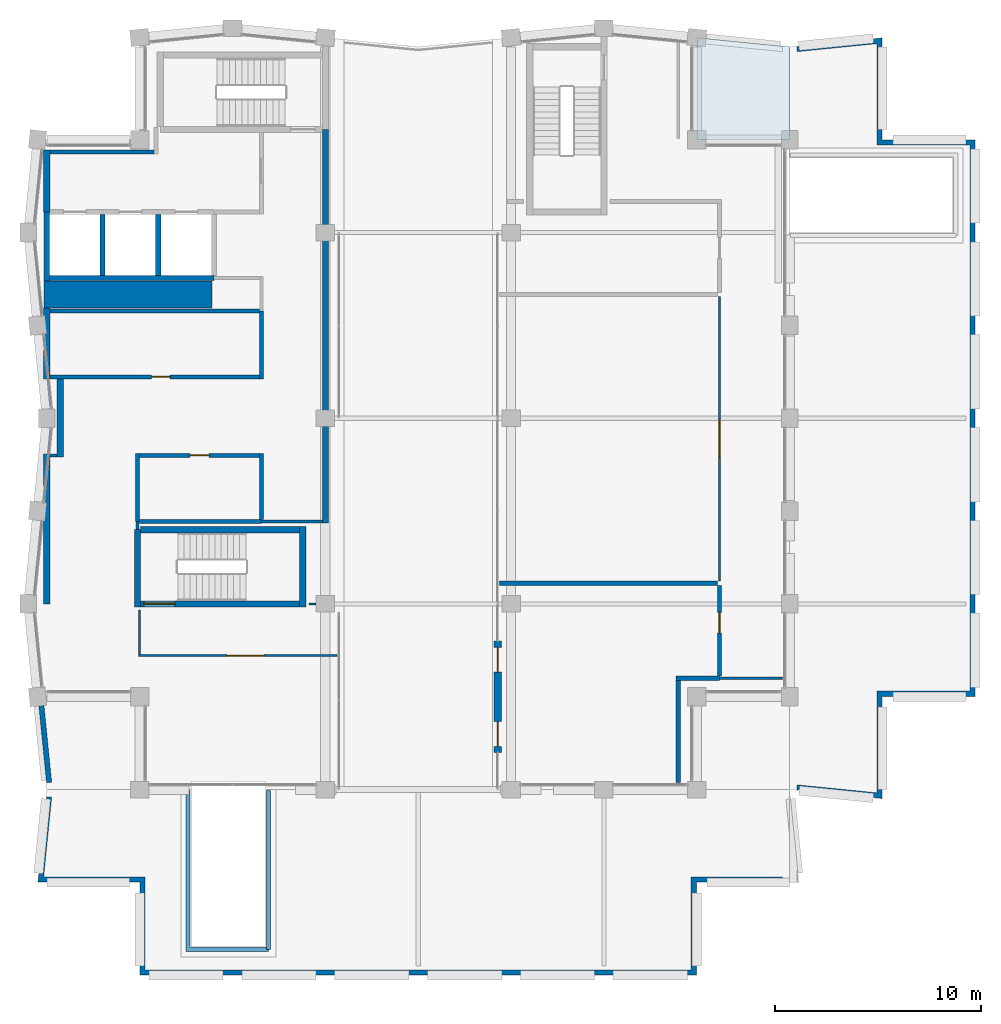
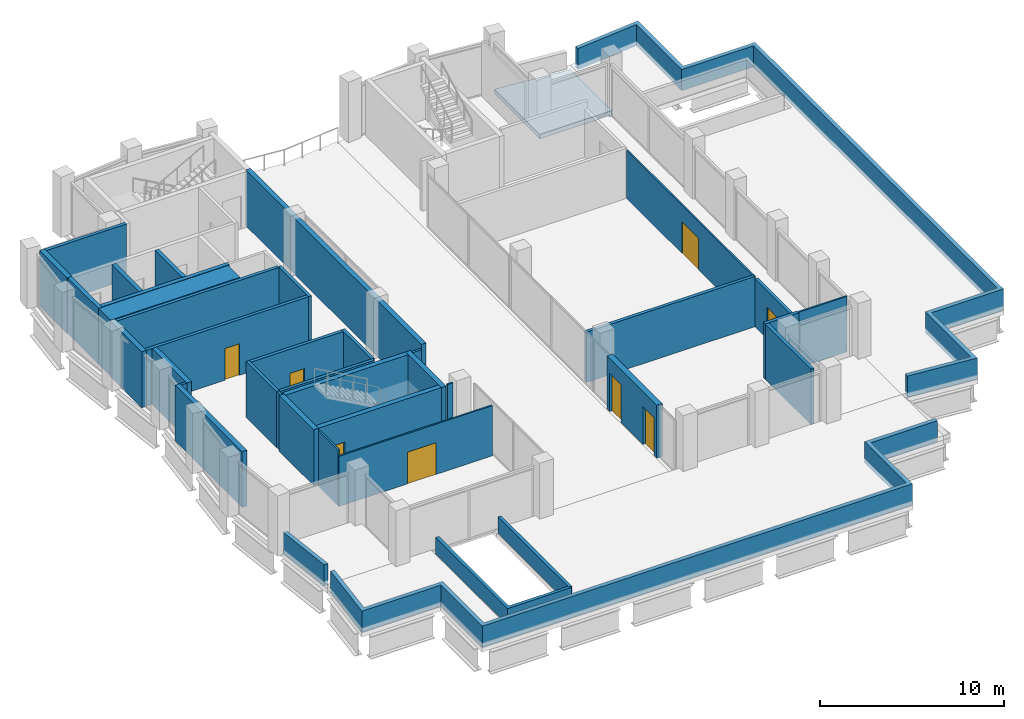
# One storey, part 11 of 14: 40 walls, 8 doors, 1 slab, 8 openings.
"""IFC4 building model written with IfcOpenShell, lengths in metres."""

from ifc_helpers import new_model, si_unit, direction, frame, frame_2d, origin, place, context, subcontext, project, spatial, polyline, rectangle, outline, extrude, material, layer, layer_set, type_object, element, fill, save


model = new_model("IFC4")

# Units and contexts
model_context = context("Model", 3, precision=1e-05, world=origin(), true_north=direction((0.0, 1.0)))
body_context = subcontext(model_context, "Body", "Model", "MODEL_VIEW")
ifc_project = project(units=[si_unit("LENGTHUNIT", "METRE"), si_unit("AREAUNIT", "SQUARE_METRE"), si_unit("VOLUMEUNIT", "CUBIC_METRE"), si_unit("PLANEANGLEUNIT", "RADIAN"), si_unit("MASSUNIT", "GRAM", prefix="KILO")], contexts=[model_context])

# Site, building, storey
site_placement = place(None, origin())
site = spatial("IfcSite", under=ifc_project, at=site_placement, CompositionType="ELEMENT")
building_placement = place(site_placement, origin())
building = spatial("IfcBuilding", under=site, at=building_placement, Name="Brondeck Convention Tower", CompositionType="ELEMENT")
storey_placement = place(building_placement, frame((0.0, 0.0, 282.800048828125)))
storey = spatial("IfcBuildingStorey", under=building, at=storey_placement, Name="L70", CompositionType="ELEMENT", Elevation=282.800048828125)

# Slab
ifc_material_1 = material(Name="Concrete C35/45", Category="concrete")
ifc_layer_1 = layer(ifc_material_1, 0.300048828125)
ifc_layer_set_1 = layer_set([ifc_layer_1], Name="Roof slab, terrace and crown")
slab_type = type_object("IfcSlabType", Name="Roof slab, terrace and crown", PredefinedType="ROOF", material=ifc_layer_set_1)
slab_placement = place(storey_placement, frame((0.0, 0.0, -0.300048828125)))
element("IfcSlab", 1, at=slab_placement, inside=storey, type_object=slab_type, Name="ENV-S4-C2-SL", PredefinedType="ROOF", context=body_context, shape_type="SweptSolid", body=[
    extrude(outline(polyline([(36.0, 63.0), (31.5, 63.449951171875), (31.5, 58.5), (36.0, 58.5), (36.0, 63.0)])), origin(), (0.0, 0.0, 1.0), 0.300048828125),
])

# Wall, openings, doors
ifc_material_2 = material(Name="Precast concrete C50/60 bronze finish", Category="concrete")
ifc_layer_2 = layer(ifc_material_2, 0.080078125, Name="Bronze precast facing")
ifc_material_3 = material(Name="Mineral wool")
ifc_layer_3 = layer(ifc_material_3, 0.159912109375, Name="Insulation")
ifc_material_4 = material(Name="Precast concrete C50/60", Category="concrete")
ifc_layer_4 = layer(ifc_material_4, 0.110107421875, Name="Rated backing")
ifc_layer_set_2 = layer_set([ifc_layer_2, ifc_layer_3, ifc_layer_4], Name="Band enclosure wall, insulated panel")
wall_type_1 = type_object("IfcWallType", Name="Band enclosure wall, insulated panel", PredefinedType="SOLIDWALL", material=ifc_layer_set_2)
wall_1_placement = place(storey_placement, frame((21.85009765625, 28.800048828125, 0.0), z_axis=(0.0, 0.0, 1.0), x_axis=(0.0, 1.0, 0.0)))
wall_1 = element("IfcWall", 2, at=wall_1_placement, inside=storey, type_object=wall_type_1, Name="ENV-PW-L70-K2-SLOT-E-07", PredefinedType="SOLIDWALL", context=body_context, shape_type="SweptSolid", body=[
    extrude(rectangle(XDim=5.39990234375, YDim=0.35009765625, at=frame_2d((2.699951171875, 0.0))), origin(), (0.0, 0.0, 1.0), 3.5),
])
opening_1_placement = place(wall_1_placement, frame((0.300048828125, 0.0, 0.0)))
opening_1 = element("IfcOpeningElement", 3, at=opening_1_placement, cuts=wall_1, Name="Opening DB-L70-SLOT-E-297", PredefinedType="OPENING", context=body_context, shape_type="SweptSolid", body=[
    extrude(rectangle(XDim=1.199951171875, YDim=2.5, at=frame_2d((0.60009765625, 1.25))), frame((0.0, 0.18505859375, 0.0), z_axis=(0.0, -1.0, 0.0), x_axis=(1.0, 0.0, 0.0)), (0.0, 0.0, 1.0), 0.3701171875),
])
opening_2_placement = place(wall_1_placement, frame((3.89990234375, 0.0, 0.0)))
opening_2 = element("IfcOpeningElement", 4, at=opening_2_placement, cuts=wall_1, Name="Opening DB-L70-SLOT-E-333", PredefinedType="OPENING", context=body_context, shape_type="SweptSolid", body=[
    extrude(rectangle(XDim=1.199951171875, YDim=2.5, at=frame_2d((0.60009765625, 1.25))), frame((0.0, 0.18505859375, 0.0), z_axis=(0.0, -1.0, 0.0), x_axis=(1.0, 0.0, 0.0)), (0.0, 0.0, 1.0), 0.3701171875),
])
ifc_material_5 = material(Name="Aluminium, bronze anodised", Category="aluminium")
door_type_1 = type_object("IfcDoorType", Name="Terrace door, single leaf", OperationType="SINGLE_SWING_LEFT", PredefinedType="DOOR", material=ifc_material_5)
door_1_placement = place(opening_1_placement, origin())
door_1 = element("IfcDoor", 5, at=door_1_placement, inside=storey, type_object=door_type_1, Name="ENV-D-DB-L70-SLOT-E-297", OperationType="SINGLE_SWING_RIGHT", OverallHeight=2.5, OverallWidth=1.199951171875, PredefinedType="DOOR", context=body_context, shape_type="SweptSolid", body=[
    extrude(rectangle(XDim=1.199951171875, YDim=2.5, at=frame_2d((0.60009765625, 1.25))), frame((0.0, 0.02490234375, 0.0), z_axis=(0.0, -1.0, 0.0), x_axis=(1.0, 0.0, 0.0)), (0.0, 0.0, 1.0), 0.050048828125),
])
fill(opening_1, door_1)
door_2_placement = place(opening_2_placement, origin())
door_2 = element("IfcDoor", 6, at=door_2_placement, inside=storey, type_object=door_type_1, Name="ENV-D-DB-L70-SLOT-E-333", OperationType="SINGLE_SWING_RIGHT", OverallHeight=2.5, OverallWidth=1.199951171875, PredefinedType="DOOR", context=body_context, shape_type="SweptSolid", body=[
    extrude(rectangle(XDim=1.199951171875, YDim=2.5, at=frame_2d((0.60009765625, 1.25))), frame((0.0, 0.02490234375, 0.0), z_axis=(0.0, -1.0, 0.0), x_axis=(1.0, 0.0, 0.0)), (0.0, 0.0, 1.0), 0.050048828125),
])
fill(opening_2, door_2)

# Walls
ifc_material_6 = material(Name="Concrete C50/60", Category="concrete")
ifc_layer_5 = layer(ifc_material_6, 0.300048828125)
ifc_layer_set_3 = layer_set([ifc_layer_5], Name="Core outer wall 300 Concrete C50/60")
wall_type_2 = type_object("IfcWallType", Name="Core outer wall 300 Concrete C50/60", PredefinedType="SHEAR", material=ifc_layer_set_3)
wall_2_placement = place(storey_placement, frame((0.0, 36.0, 0.0), z_axis=(0.0, 0.0, 1.0), x_axis=(0.0, 1.0, 0.0)))
element("IfcWall", 7, at=wall_2_placement, inside=storey, type_object=wall_type_2, Name="L70 core wall", PredefinedType="SHEAR", context=body_context, shape_type="SweptSolid", body=[
    extrude(rectangle(XDim=7.27490234375, YDim=0.300048828125, at=frame_2d((3.637451171875, 0.0))), origin(), (0.0, 0.0, 1.0), 3.699951171875),
])
wall_3_placement = place(storey_placement, frame((0.0, 46.89990234375, 0.0), z_axis=(0.0, 0.0, 1.0), x_axis=(0.0, 1.0, 0.0)))
element("IfcWall", 8, at=wall_3_placement, inside=storey, type_object=wall_type_2, Name="L70 core wall", PredefinedType="SHEAR", context=body_context, shape_type="SweptSolid", body=[
    extrude(rectangle(XDim=3.4501953125, YDim=0.300048828125, at=frame_2d((1.72509765625, 0.0))), origin(), (0.0, 0.0, 1.0), 3.699951171875),
])
wall_4_placement = place(storey_placement, frame((0.0, 55.0, 0.0), z_axis=(0.0, 0.0, 1.0), x_axis=(0.0, 1.0, 0.0)))
element("IfcWall", 9, at=wall_4_placement, inside=storey, type_object=wall_type_2, Name="L70 core wall", PredefinedType="SHEAR", context=body_context, shape_type="SweptSolid", body=[
    extrude(rectangle(XDim=3.0, YDim=0.300048828125, at=frame_2d((1.5, 0.0))), origin(), (0.0, 0.0, 1.0), 3.699951171875),
])
wall_5_placement = place(storey_placement, frame((0.64990234375, 43.125, 0.0), z_axis=(0.0, 0.0, 1.0), x_axis=(0.0, 1.0, 0.0)))
element("IfcWall", 10, at=wall_5_placement, inside=storey, type_object=wall_type_2, Name="L70 core wall", PredefinedType="SHEAR", context=body_context, shape_type="SweptSolid", body=[
    extrude(rectangle(XDim=3.77490234375, YDim=0.300048828125, at=frame_2d((1.887451171875, 0.0))), origin(), (0.0, 0.0, 1.0), 3.699951171875),
])
wall_6_placement = place(storey_placement, frame((13.5, 39.925048828125, 0.0), z_axis=(0.0, 0.0, 1.0), x_axis=(0.0, 1.0, 0.0)))
element("IfcWall", 11, at=wall_6_placement, inside=storey, type_object=wall_type_2, Name="L70 core wall", PredefinedType="SHEAR", context=body_context, shape_type="SweptSolid", body=[
    extrude(rectangle(XDim=19.074951171875, YDim=0.300048828125, at=frame_2d((9.53759765625, 0.0))), origin(), (0.0, 0.0, 1.0), 3.699951171875),
])
ifc_material_7 = material(Name="Fire-rated gypsum board partition")
ifc_layer_6 = layer(ifc_material_7, 0.14990234375)
ifc_layer_set_4 = layer_set([ifc_layer_6], Name="Core partition 150 EI 60")
wall_type_3 = type_object("IfcWallType", Name="Core partition 150 EI 60", PredefinedType="PARTITIONING", material=ifc_layer_set_4)
wall_7_placement = place(storey_placement, frame((10.39990234375, 40.0, 0.0), z_axis=(0.0, 0.0, 1.0), x_axis=(1.0, 0.0, 0.0)))
element("IfcWall", 12, at=wall_7_placement, inside=storey, type_object=wall_type_3, Name="L70 core wall", PredefinedType="PARTITIONING", context=body_context, shape_type="SweptSolid", body=[
    extrude(rectangle(XDim=2.9501953125, YDim=0.14990234375, at=frame_2d((1.47509765625, 0.0))), origin(), (0.0, 0.0, 1.0), 3.349853515625),
])
wall_8_placement = place(storey_placement, frame((0.14990234375, 43.199951171875, 0.0), z_axis=(0.0, 0.0, 1.0), x_axis=(1.0, 0.0, 0.0)))
element("IfcWall", 13, at=wall_8_placement, inside=storey, type_object=wall_type_3, Name="L70 core wall", PredefinedType="PARTITIONING", context=body_context, shape_type="SweptSolid", body=[
    extrude(rectangle(XDim=0.35009765625, YDim=0.14990234375, at=frame_2d((0.175048828125, 0.0))), origin(), (0.0, 0.0, 1.0), 3.699951171875),
])
wall_9_placement = place(storey_placement, frame((4.39990234375, 39.60009765625, 0.0), z_axis=(0.0, 0.0, 1.0), x_axis=(0.0, 1.0, 0.0)))
element("IfcWall", 14, at=wall_9_placement, inside=storey, type_object=wall_type_3, Name="L70 core wall", PredefinedType="PARTITIONING", context=body_context, shape_type="SweptSolid", body=[
    extrude(rectangle(XDim=0.39990234375, YDim=0.14990234375, at=frame_2d((0.199951171875, 0.0))), origin(), (0.0, 0.0, 1.0), 3.699951171875),
])
ifc_layer_7 = layer(ifc_material_6, 1.300048828125)
ifc_layer_set_5 = layer_set([ifc_layer_7], Name="Core shear wall 1300 Concrete C50/60")
wall_type_4 = type_object("IfcWallType", Name="Core shear wall 1300 Concrete C50/60", PredefinedType="SHEAR", material=ifc_layer_set_5)
wall_10_placement = place(storey_placement, frame((-0.125, 51.0, 0.0), z_axis=(0.0, 0.0, 1.0), x_axis=(1.0, 0.0, 0.0)))
element("IfcWall", 15, at=wall_10_placement, inside=storey, type_object=wall_type_4, Name="L70 core wall", PredefinedType="SHEAR", context=body_context, shape_type="SweptSolid", body=[
    extrude(rectangle(XDim=8.125, YDim=1.300048828125, at=frame_2d((4.0625, 0.0))), origin(), (0.0, 0.0, 1.0), 3.699951171875),
])
ifc_layer_8 = layer(ifc_material_7, 0.199951171875)
ifc_layer_set_6 = layer_set([ifc_layer_8], Name="Firefighting lobby wall 200 EI 120")
wall_type_5 = type_object("IfcWallType", Name="Firefighting lobby wall 200 EI 120", PredefinedType="PARTITIONING", material=ifc_layer_set_6)
wall_11_placement = place(storey_placement, frame((0.14990234375, 57.89990234375, 0.0), z_axis=(0.0, 0.0, 1.0), x_axis=(1.0, 0.0, 0.0)))
element("IfcWall", 16, at=wall_11_placement, inside=storey, type_object=wall_type_5, Name="L70 core wall", PredefinedType="PARTITIONING", context=body_context, shape_type="SweptSolid", body=[
    extrude(rectangle(XDim=5.050048828125, YDim=0.199951171875, at=frame_2d((2.52490234375, 0.0))), origin(), (0.0, 0.0, 1.0), 3.699951171875),
])
ifc_layer_9 = layer(ifc_material_6, 0.25)
ifc_layer_set_7 = layer_set([ifc_layer_9], Name="Lift shaft wall 250 Concrete C50/60")
wall_type_6 = type_object("IfcWallType", Name="Lift shaft wall 250 Concrete C50/60", PredefinedType="SHEAR", material=ifc_layer_set_7)
wall_12_placement = place(storey_placement, frame((0.125, 51.800048828125, 0.0), z_axis=(0.0, 0.0, 1.0), x_axis=(1.0, 0.0, 0.0)))
element("IfcWall", 17, at=wall_12_placement, inside=storey, type_object=wall_type_6, Name="L70 core wall", PredefinedType="SHEAR", context=body_context, shape_type="SweptSolid", body=[
    extrude(rectangle(XDim=7.97509765625, YDim=0.25, at=frame_2d((3.987548828125, 0.0))), origin(), (0.0, 0.0, 1.0), 3.699951171875),
])
wall_13_placement = place(storey_placement, frame((0.0, 51.64990234375, 0.0), z_axis=(0.0, 0.0, 1.0), x_axis=(0.0, 1.0, 0.0)))
element("IfcWall", 18, at=wall_13_placement, inside=storey, type_object=wall_type_6, Name="L70 core wall", PredefinedType="SHEAR", context=body_context, shape_type="SweptSolid", body=[
    extrude(rectangle(XDim=3.35009765625, YDim=0.25, at=frame_2d((1.675048828125, 0.0))), origin(), (0.0, 0.0, 1.0), 3.699951171875),
])
for number, where, z_axis, x_axis, name in (
    (19, (2.699951171875, 51.925048828125, 0.0), (0.0, 0.0, 1.0), (0.0, 1.0, 0.0), "L70 core wall"),
    (20, (5.39990234375, 51.925048828125, 0.0), (0.0, 0.0, 1.0), (0.0, 1.0, 0.0), "L70 core wall"),
):
    element("IfcWall", number, at=place(storey_placement, frame(where, z_axis=z_axis, x_axis=x_axis)), inside=storey, type_object=wall_type_6, Name=name, PredefinedType="SHEAR", context=body_context, shape_type="SweptSolid", body=[
        extrude(rectangle(XDim=2.949951171875, YDim=0.25, at=frame_2d((1.47509765625, 0.0))), origin(), (0.0, 0.0, 1.0), 3.699951171875),
    ])
ifc_material_8 = material(Name="Concrete block wall C16/20", Category="concrete")
ifc_layer_10 = layer(ifc_material_8, 0.199951171875)
ifc_layer_set_8 = layer_set([ifc_layer_10], Name="Plant room wall 200")
wall_type_7 = type_object("IfcWallType", Name="Plant room wall 200", PredefinedType="PARTITIONING", material=ifc_layer_set_8)
wall_14_placement = place(storey_placement, frame((30.60009765625, 32.300048828125, 0.0), z_axis=(0.0, 0.0, 1.0), x_axis=(0.0, -1.0, 0.0)))
element("IfcWall", 21, at=wall_14_placement, inside=storey, type_object=wall_type_7, Name="FLR-L70-W001", PredefinedType="PARTITIONING", context=body_context, shape_type="SweptSolid", body=[
    extrude(rectangle(XDim=4.9599609375, YDim=0.199951171875, at=frame_2d((2.47998046875, 0.0))), origin(), (0.0, 0.0, 1.0), 3.679931640625),
])
wall_15_placement = place(storey_placement, frame((32.60009765625, 32.39990234375, 0.0), z_axis=(0.0, 0.0, 1.0), x_axis=(-1.0, 0.0, 0.0)))
element("IfcWall", 22, at=wall_15_placement, inside=storey, type_object=wall_type_7, Name="FLR-L70-W002", PredefinedType="PARTITIONING", context=body_context, shape_type="SweptSolid", body=[
    extrude(rectangle(XDim=2.10009765625, YDim=0.199951171875, at=frame_2d((1.050048828125, 0.0))), origin(), (0.0, 0.0, 1.0), 3.679931640625),
])

# Wall, opening, door
wall_16_placement = place(storey_placement, frame((32.60009765625, 32.5, 0.0), z_axis=(0.0, 0.0, 1.0), x_axis=(0.0, 1.0, 0.0)))
wall_16 = element("IfcWall", 23, at=wall_16_placement, inside=storey, type_object=wall_type_7, Name="FLR-L70-W004", PredefinedType="PARTITIONING", context=body_context, shape_type="SweptSolid", body=[
    extrude(rectangle(XDim=4.39990234375, YDim=0.199951171875, at=frame_2d((2.199951171875, 0.0))), origin(), (0.0, 0.0, 1.0), 3.179931640625),
])
opening_3_placement = place(wall_16_placement, frame((2.094482421875, 0.0, 0.0)))
opening_3 = element("IfcOpeningElement", 24, at=opening_3_placement, cuts=wall_16, Name="Opening CR-A-003", PredefinedType="OPENING", context=body_context, shape_type="SweptSolid", body=[
    extrude(rectangle(XDim=1.0, YDim=2.10009765625, at=frame_2d((0.5, 1.050048828125))), frame((0.0, 0.10986328125, 0.0), z_axis=(0.0, -1.0, 0.0), x_axis=(1.0, 0.0, 0.0)), (0.0, 0.0, 1.0), 0.219970703125),
])
ifc_material_9 = material(Name="Steel fire door leaf", Category="steel")
door_type_2 = type_object("IfcDoorType", Name="Plant room door 1000", OperationType="NOTDEFINED", PredefinedType="DOOR", material=ifc_material_9)
door_3_placement = place(opening_3_placement, origin())
door_3 = element("IfcDoor", 25, at=door_3_placement, inside=storey, type_object=door_type_2, Name="Door CR-A-003", OperationType="SINGLE_SWING_RIGHT", OverallHeight=2.10009765625, OverallWidth=1.0, PredefinedType="DOOR", context=body_context, shape_type="SweptSolid", body=[
    extrude(rectangle(XDim=1.0, YDim=2.10009765625, at=frame_2d((0.5, 1.050048828125))), frame((0.0, 0.02490234375, 0.0), z_axis=(0.0, -1.0, 0.0), x_axis=(1.0, 0.0, 0.0)), (0.0, 0.0, 1.0), 0.050048828125),
])
fill(opening_3, door_3)

# Walls
wall_17_placement = place(storey_placement, frame((32.5, 37.0, 0.0), z_axis=(0.0, 0.0, 1.0), x_axis=(-1.0, 0.0, 0.0)))
element("IfcWall", 26, at=wall_17_placement, inside=storey, type_object=wall_type_7, Name="FLR-L70-W008", PredefinedType="PARTITIONING", context=body_context, shape_type="SweptSolid", body=[
    extrude(rectangle(XDim=10.56005859375, YDim=0.199951171875, at=frame_2d((5.280029296875, 0.0))), origin(), (0.0, 0.0, 1.0), 3.329833984375),
])
ifc_layer_11 = layer(ifc_material_7, 0.199951171875)
ifc_layer_set_9 = layer_set([ifc_layer_11], Name="Plant room wall 200 EI 120")
wall_type_8 = type_object("IfcWallType", Name="Plant room wall 200 EI 120", PredefinedType="PARTITIONING", material=ifc_layer_set_9)
wall_18_placement = place(storey_placement, frame((4.5, 40.0, 0.0), z_axis=(0.0, 0.0, 1.0), x_axis=(1.0, 0.0, 0.0)))
element("IfcWall", 27, at=wall_18_placement, inside=storey, type_object=wall_type_8, Name="L70 core wall", PredefinedType="PARTITIONING", context=body_context, shape_type="SweptSolid", body=[
    extrude(rectangle(XDim=5.89990234375, YDim=0.199951171875, at=frame_2d((2.949951171875, 0.0))), origin(), (0.0, 0.0, 1.0), 3.699951171875),
])

# Wall, opening, door
wall_19_placement = place(storey_placement, frame((4.5, 43.199951171875, 0.0), z_axis=(0.0, 0.0, 1.0), x_axis=(1.0, 0.0, 0.0)))
wall_19 = element("IfcWall", 28, at=wall_19_placement, inside=storey, type_object=wall_type_8, Name="L70 core wall", PredefinedType="PARTITIONING", context=body_context, shape_type="SweptSolid", body=[
    extrude(rectangle(XDim=5.800048828125, YDim=0.199951171875, at=frame_2d((2.89990234375, 0.0))), origin(), (0.0, 0.0, 1.0), 3.699951171875),
])
opening_4_placement = place(wall_19_placement, frame((2.449951171875, 0.0, 0.0)))
opening_4 = element("IfcOpeningElement", 29, at=opening_4_placement, cuts=wall_19, Name="Opening C40-03", PredefinedType="OPENING", context=body_context, shape_type="SweptSolid", body=[
    extrude(rectangle(XDim=0.89990234375, YDim=2.10009765625, at=frame_2d((0.449951171875, 1.050048828125))), frame((0.0, 0.10986328125, 0.0), z_axis=(0.0, -1.0, 0.0), x_axis=(1.0, 0.0, 0.0)), (0.0, 0.0, 1.0), 0.219970703125),
])
ifc_material_10 = material(Name="Steel fire door", Category="steel")
door_type_3 = type_object("IfcDoorType", Name="Room door 900x2100 EI 120", OperationType="NOTDEFINED", PredefinedType="DOOR", material=ifc_material_10)
door_4_placement = place(opening_4_placement, origin())
door_4 = element("IfcDoor", 30, at=door_4_placement, inside=storey, type_object=door_type_3, Name="L70 Room door FZ-S-4.4-1", OperationType="SINGLE_SWING_LEFT", OverallHeight=2.10009765625, OverallWidth=0.89990234375, PredefinedType="DOOR", context=body_context, shape_type="SweptSolid", body=[
    extrude(rectangle(XDim=0.89990234375, YDim=2.10009765625, at=frame_2d((0.449951171875, 1.050048828125))), frame((0.0, 0.02490234375, 0.0), z_axis=(0.0, -1.0, 0.0), x_axis=(1.0, 0.0, 0.0)), (0.0, 0.0, 1.0), 0.050048828125),
])
fill(opening_4, door_4)

wall_20_placement = place(storey_placement, frame((0.14990234375, 47.0, 0.0), z_axis=(0.0, 0.0, 1.0), x_axis=(1.0, 0.0, 0.0)))
wall_20 = element("IfcWall", 31, at=wall_20_placement, inside=storey, type_object=wall_type_8, Name="L70 core wall", PredefinedType="PARTITIONING", context=body_context, shape_type="SweptSolid", body=[
    extrude(rectangle(XDim=10.150146484375, YDim=0.199951171875, at=frame_2d((5.0751953125, 0.0))), origin(), (0.0, 0.0, 1.0), 3.699951171875),
])
opening_5_placement = place(wall_20_placement, frame((4.925048828125, 0.0, 0.0)))
opening_5 = element("IfcOpeningElement", 32, at=opening_5_placement, cuts=wall_20, Name="Opening C40-02", PredefinedType="OPENING", context=body_context, shape_type="SweptSolid", body=[
    extrude(rectangle(XDim=0.89990234375, YDim=2.10009765625, at=frame_2d((0.449951171875, 1.050048828125))), frame((0.0, 0.10986328125, 0.0), z_axis=(0.0, -1.0, 0.0), x_axis=(1.0, 0.0, 0.0)), (0.0, 0.0, 1.0), 0.219970703125),
])
door_5_placement = place(opening_5_placement, origin())
door_5 = element("IfcDoor", 33, at=door_5_placement, inside=storey, type_object=door_type_3, Name="L70 Room door FZ-N-0-1", OperationType="SINGLE_SWING_RIGHT", OverallHeight=2.10009765625, OverallWidth=0.89990234375, PredefinedType="DOOR", context=body_context, shape_type="SweptSolid", body=[
    extrude(rectangle(XDim=0.89990234375, YDim=2.10009765625, at=frame_2d((0.449951171875, 1.050048828125))), frame((0.0, 0.02490234375, 0.0), z_axis=(0.0, -1.0, 0.0), x_axis=(1.0, 0.0, 0.0)), (0.0, 0.0, 1.0), 0.050048828125),
])
fill(opening_5, door_5)

# Walls
wall_21_placement = place(storey_placement, frame((0.14990234375, 50.199951171875, 0.0), z_axis=(0.0, 0.0, 1.0), x_axis=(1.0, 0.0, 0.0)))
element("IfcWall", 34, at=wall_21_placement, inside=storey, type_object=wall_type_8, Name="L70 core wall", PredefinedType="PARTITIONING", context=body_context, shape_type="SweptSolid", body=[
    extrude(rectangle(XDim=10.150146484375, YDim=0.199951171875, at=frame_2d((5.0751953125, 0.0))), origin(), (0.0, 0.0, 1.0), 3.699951171875),
])
wall_22_placement = place(storey_placement, frame((4.39990234375, 40.0, 0.0), z_axis=(0.0, 0.0, 1.0), x_axis=(0.0, 1.0, 0.0)))
element("IfcWall", 35, at=wall_22_placement, inside=storey, type_object=wall_type_8, Name="L70 core wall", PredefinedType="PARTITIONING", context=body_context, shape_type="SweptSolid", body=[
    extrude(rectangle(XDim=3.300048828125, YDim=0.199951171875, at=frame_2d((1.64990234375, 0.0))), origin(), (0.0, 0.0, 1.0), 3.699951171875),
])
wall_23_placement = place(storey_placement, frame((10.39990234375, 40.10009765625, 0.0), z_axis=(0.0, 0.0, 1.0), x_axis=(0.0, 1.0, 0.0)))
element("IfcWall", 36, at=wall_23_placement, inside=storey, type_object=wall_type_8, Name="L70 core wall", PredefinedType="PARTITIONING", context=body_context, shape_type="SweptSolid", body=[
    extrude(rectangle(XDim=3.199951171875, YDim=0.199951171875, at=frame_2d((1.60009765625, 0.0))), origin(), (0.0, 0.0, 1.0), 3.699951171875),
])
wall_24_placement = place(storey_placement, frame((10.39990234375, 46.89990234375, 0.0), z_axis=(0.0, 0.0, 1.0), x_axis=(0.0, 1.0, 0.0)))
element("IfcWall", 37, at=wall_24_placement, inside=storey, type_object=wall_type_8, Name="L70 core wall", PredefinedType="PARTITIONING", context=body_context, shape_type="SweptSolid", body=[
    extrude(rectangle(XDim=3.300048828125, YDim=0.199951171875, at=frame_2d((1.64990234375, 0.0))), origin(), (0.0, 0.0, 1.0), 3.699951171875),
])
ifc_layer_12 = layer(ifc_material_4, 0.25)
ifc_layer_set_10 = layer_set([ifc_layer_12], Name="Roof parapet, precast concrete C50/60")
wall_type_9 = type_object("IfcWallType", Name="Roof parapet, precast concrete C50/60", PredefinedType="PARAPET", material=ifc_layer_set_10)
wall_25_placement = place(storey_placement, origin())
element("IfcWall", 38, at=wall_25_placement, inside=storey, type_object=wall_type_9, Name="ENV-S4-A-PA-01", PredefinedType="PARAPET", context=body_context, shape_type="SweptSolid", body=[
    extrude(outline(polyline([(40.47998046875, 63.427978515625), (36.35009765625, 63.014892578125), (36.35009765625, 62.763671875), (40.22998046875, 63.151611328125), (40.22998046875, 58.22998046875), (44.72998046875, 58.22998046875), (44.72998046875, 31.77001953125), (40.22998046875, 31.77001953125), (40.22998046875, 26.848388671875), (36.35009765625, 27.236328125), (36.35009765625, 26.985107421875), (40.47998046875, 26.572021484375), (40.47998046875, 31.52001953125), (44.97998046875, 31.52001953125), (44.97998046875, 58.47998046875), (40.47998046875, 58.47998046875), (40.47998046875, 63.427978515625)])), origin(), (0.0, 0.0, 1.0), 1.39990234375),
])
wall_26_placement = place(storey_placement, origin())
element("IfcWall", 39, at=wall_26_placement, inside=storey, type_object=wall_type_9, Name="ENV-S4-B-PA-01", PredefinedType="PARAPET", context=body_context, shape_type="SweptSolid", body=[
    extrude(outline(polyline([(4.52001953125, 18.02001953125), (31.47998046875, 18.02001953125), (31.47998046875, 22.52001953125), (35.64990234375, 22.52001953125), (35.64990234375, 22.77001953125), (31.22998046875, 22.77001953125), (31.22998046875, 18.27001953125), (4.77001953125, 18.27001953125), (4.77001953125, 22.77001953125), (-0.151611328125, 22.77001953125), (0.236328125, 26.64990234375), (-0.014892578125, 26.64990234375), (-0.427978515625, 22.52001953125), (4.52001953125, 22.52001953125), (4.52001953125, 18.02001953125)])), origin(), (0.0, 0.0, 1.0), 1.39990234375),
])
wall_27_placement = place(storey_placement, origin())
element("IfcWall", 40, at=wall_27_placement, inside=storey, type_object=wall_type_9, Name="ENV-S4-B-WPA1", PredefinedType="PARAPET", context=body_context, shape_type="SweptSolid", body=[
    extrude(outline(polyline([(6.75, 19.14990234375), (10.75, 19.14990234375), (10.75, 19.35009765625), (6.949951171875, 19.35009765625), (6.949951171875, 26.949951171875), (6.75, 26.949951171875), (6.75, 19.14990234375)])), origin(), (0.0, 0.0, 1.0), 1.099853515625),
])
wall_28_placement = place(storey_placement, origin())
element("IfcWall", 41, at=wall_28_placement, inside=storey, type_object=wall_type_9, Name="ENV-S4-B-WPA2", PredefinedType="PARAPET", context=body_context, shape_type="SweptSolid", body=[
    extrude(outline(polyline([(10.85009765625, 19.25), (10.85009765625, 26.949951171875), (10.64990234375, 26.949951171875), (10.64990234375, 19.25), (10.85009765625, 19.25)])), origin(), (0.0, 0.0, 1.0), 1.099853515625),
])
wall_29_placement = place(storey_placement, origin())
element("IfcWall", 42, at=wall_29_placement, inside=storey, type_object=wall_type_9, Name="ENV-S4-C1-PA-01", PredefinedType="PARAPET", context=body_context, shape_type="SweptSolid", body=[
    extrude(outline(polyline([(-0.39501953125, 31.14990234375), (-0.014892578125, 27.35009765625), (0.236328125, 27.35009765625), (-0.143798828125, 31.14990234375), (-0.39501953125, 31.14990234375)])), origin(), (0.0, 0.0, 1.0), 1.39990234375),
])
ifc_material_11 = material(Name="Gypsum board partition on steel studs", Category="steel")
ifc_layer_13 = layer(ifc_material_11, 0.10009765625)
ifc_layer_set_11 = layer_set([ifc_layer_13], Name="Room partition 100")
wall_type_10 = type_object("IfcWallType", Name="Room partition 100", PredefinedType="PARTITIONING", material=ifc_layer_set_11)
wall_30_placement = place(storey_placement, frame((35.659912109375, 32.39990234375, 0.0), z_axis=(0.0, 0.0, 1.0), x_axis=(-1.0, 0.0, 0.0)))
element("IfcWall", 43, at=wall_30_placement, inside=storey, type_object=wall_type_10, Name="FLR-L70-W003", PredefinedType="PARTITIONING", context=body_context, shape_type="SweptSolid", body=[
    extrude(rectangle(XDim=3.059814453125, YDim=0.10009765625, at=frame_2d((1.52978515625, 0.0))), origin(), (0.0, 0.0, 1.0), 3.679931640625),
])

# Wall, opening, door
wall_31_placement = place(storey_placement, frame((14.06005859375, 33.5, 0.0), z_axis=(0.0, 0.0, 1.0), x_axis=(-1.0, 0.0, 0.0)))
wall_31 = element("IfcWall", 44, at=wall_31_placement, inside=storey, type_object=wall_type_10, Name="FLR-L70-W005", PredefinedType="PARTITIONING", context=body_context, shape_type="SweptSolid", body=[
    extrude(rectangle(XDim=9.610107421875, YDim=0.10009765625, at=frame_2d((4.80517578125, 0.0))), origin(), (0.0, 0.0, 1.0), 3.329833984375),
])
opening_6_placement = place(wall_31_placement, frame((3.529541015625, 0.0, 0.0)))
opening_6 = element("IfcOpeningElement", 45, at=opening_6_placement, cuts=wall_31, Name="Opening CR-A-001", PredefinedType="OPENING", context=body_context, shape_type="SweptSolid", body=[
    extrude(rectangle(XDim=1.800048828125, YDim=2.10009765625, at=frame_2d((0.89990234375, 1.050048828125))), frame((0.0, 0.06005859375, 0.0), z_axis=(0.0, -1.0, 0.0), x_axis=(1.0, 0.0, 0.0)), (0.0, 0.0, 1.0), 0.1201171875),
])
ifc_material_12 = material(Name="Glazed timber double door", Category="wood")
door_type_4 = type_object("IfcDoorType", Name="Double door 1800", OperationType="DOUBLE_DOOR_SINGLE_SWING", PredefinedType="DOOR", material=ifc_material_12)
door_6_placement = place(opening_6_placement, origin())
door_6 = element("IfcDoor", 46, at=door_6_placement, inside=storey, type_object=door_type_4, Name="Door CR-A-001", OperationType="DOUBLE_DOOR_SINGLE_SWING", OverallHeight=2.10009765625, OverallWidth=1.800048828125, PredefinedType="DOOR", context=body_context, shape_type="SweptSolid", body=[
    extrude(rectangle(XDim=1.800048828125, YDim=2.10009765625, at=frame_2d((0.89990234375, 1.050048828125))), frame((0.0, 0.02490234375, 0.0), z_axis=(0.0, -1.0, 0.0), x_axis=(1.0, 0.0, 0.0)), (0.0, 0.0, 1.0), 0.050048828125),
])
fill(opening_6, door_6)

# Walls
wall_32_placement = place(storey_placement, frame((4.5, 33.550048828125, 0.0), z_axis=(0.0, 0.0, 1.0), x_axis=(0.0, 1.0, 0.0)))
element("IfcWall", 47, at=wall_32_placement, inside=storey, type_object=wall_type_10, Name="FLR-L70-W006", PredefinedType="PARTITIONING", context=body_context, shape_type="SweptSolid", body=[
    extrude(rectangle(XDim=2.14990234375, YDim=0.10009765625, at=frame_2d((1.074951171875, 0.0))), origin(), (0.0, 0.0, 1.0), 3.679931640625),
])
wall_33_placement = place(storey_placement, frame((12.699951171875, 36.0, 0.0), z_axis=(0.0, 0.0, 1.0), x_axis=(1.0, 0.0, 0.0)))
element("IfcWall", 48, at=wall_33_placement, inside=storey, type_object=wall_type_10, Name="FLR-L70-W007", PredefinedType="PARTITIONING", context=body_context, shape_type="SweptSolid", body=[
    extrude(rectangle(XDim=0.344970703125, YDim=0.10009765625, at=frame_2d((0.17236328125, 0.0))), origin(), (0.0, 0.0, 1.0), 3.679931640625),
])

# Wall, opening, door
wall_34_placement = place(storey_placement, frame((32.60009765625, 37.10009765625, 0.0), z_axis=(0.0, 0.0, 1.0), x_axis=(0.0, 1.0, 0.0)))
wall_34 = element("IfcWall", 49, at=wall_34_placement, inside=storey, type_object=wall_type_10, Name="FLR-L70-W009", PredefinedType="PARTITIONING", context=body_context, shape_type="SweptSolid", body=[
    extrude(rectangle(XDim=13.7998046875, YDim=0.10009765625, at=frame_2d((6.89990234375, 0.0))), origin(), (0.0, 0.0, 1.0), 3.179931640625),
])
opening_7_placement = place(wall_34_placement, frame((6.0, 0.0, 0.0)))
opening_7 = element("IfcOpeningElement", 50, at=opening_7_placement, cuts=wall_34, Name="Opening CR-A-002", PredefinedType="OPENING", context=body_context, shape_type="SweptSolid", body=[
    extrude(rectangle(XDim=1.800048828125, YDim=2.10009765625, at=frame_2d((0.89990234375, 1.050048828125))), frame((0.0, 0.06005859375, 0.0), z_axis=(0.0, -1.0, 0.0), x_axis=(1.0, 0.0, 0.0)), (0.0, 0.0, 1.0), 0.1201171875),
])
door_7_placement = place(opening_7_placement, origin())
door_7 = element("IfcDoor", 51, at=door_7_placement, inside=storey, type_object=door_type_4, Name="Door CR-A-002", OperationType="DOUBLE_DOOR_SINGLE_SWING", OverallHeight=2.10009765625, OverallWidth=1.800048828125, PredefinedType="DOOR", context=body_context, shape_type="SweptSolid", body=[
    extrude(rectangle(XDim=1.800048828125, YDim=2.10009765625, at=frame_2d((0.89990234375, 1.050048828125))), frame((0.0, 0.02490234375, 0.0), z_axis=(0.0, -1.0, 0.0), x_axis=(1.0, 0.0, 0.0)), (0.0, 0.0, 1.0), 0.050048828125),
])
fill(opening_7, door_7)

ifc_layer_14 = layer(ifc_material_6, 0.300048828125)
ifc_layer_set_12 = layer_set([ifc_layer_14], Name="Stair enclosure wall 300 Concrete C50/60")
wall_type_11 = type_object("IfcWallType", Name="Stair enclosure wall 300 Concrete C50/60", PredefinedType="SHEAR", material=ifc_layer_set_12)
wall_35_placement = place(storey_placement, frame((4.550048828125, 36.0, 0.0), z_axis=(0.0, 0.0, 1.0), x_axis=(1.0, 0.0, 0.0)))
wall_35 = element("IfcWall", 52, at=wall_35_placement, inside=storey, type_object=wall_type_11, Name="L70 core wall", PredefinedType="SHEAR", context=body_context, shape_type="SweptSolid", body=[
    extrude(rectangle(XDim=7.699951171875, YDim=0.300048828125, at=frame_2d((3.85009765625, 0.0))), origin(), (0.0, 0.0, 1.0), 3.699951171875),
])
opening_8_placement = place(wall_35_placement, frame((0.14990234375, 0.0, 0.0)))
opening_8 = element("IfcOpeningElement", 53, at=opening_8_placement, cuts=wall_35, Name="Opening C40-04", PredefinedType="OPENING", context=body_context, shape_type="SweptSolid", body=[
    extrude(rectangle(XDim=1.5, YDim=2.199951171875, at=frame_2d((0.75, 1.10009765625))), frame((0.0, 0.159912109375, 0.0), z_axis=(0.0, -1.0, 0.0), x_axis=(1.0, 0.0, 0.0)), (0.0, 0.0, 1.0), 0.320068359375),
])
door_type_5 = type_object("IfcDoorType", Name="Stair door 1500x2200 EI 90", OperationType="NOTDEFINED", PredefinedType="DOOR", material=ifc_material_10)
door_8_placement = place(opening_8_placement, origin())
door_8 = element("IfcDoor", 54, at=door_8_placement, inside=storey, type_object=door_type_5, Name="L70 Stair door ST-1", OperationType="SINGLE_SWING_RIGHT", OverallHeight=2.199951171875, OverallWidth=1.5, PredefinedType="DOOR", context=body_context, shape_type="SweptSolid", body=[
    extrude(rectangle(XDim=1.5, YDim=2.199951171875, at=frame_2d((0.75, 1.10009765625))), frame((0.0, 0.02490234375, 0.0), z_axis=(0.0, -1.0, 0.0), x_axis=(1.0, 0.0, 0.0)), (0.0, 0.0, 1.0), 0.050048828125),
])
fill(opening_8, door_8)

# Walls
wall_36_placement = place(storey_placement, frame((4.550048828125, 39.60009765625, 0.0), z_axis=(0.0, 0.0, 1.0), x_axis=(1.0, 0.0, 0.0)))
element("IfcWall", 55, at=wall_36_placement, inside=storey, type_object=wall_type_11, Name="L70 core wall", PredefinedType="SHEAR", context=body_context, shape_type="SweptSolid", body=[
    extrude(rectangle(XDim=7.699951171875, YDim=0.300048828125, at=frame_2d((3.85009765625, 0.0))), origin(), (0.0, 0.0, 1.0), 3.699951171875),
])
wall_37_placement = place(storey_placement, frame((4.39990234375, 35.85009765625, 0.0), z_axis=(0.0, 0.0, 1.0), x_axis=(0.0, 1.0, 0.0)))
element("IfcWall", 56, at=wall_37_placement, inside=storey, type_object=wall_type_11, Name="L70 core wall", PredefinedType="SHEAR", context=body_context, shape_type="SweptSolid", body=[
    extrude(rectangle(XDim=3.75, YDim=0.300048828125, at=frame_2d((1.875, 0.0))), origin(), (0.0, 0.0, 1.0), 3.699951171875),
])
wall_38_placement = place(storey_placement, frame((12.39990234375, 35.85009765625, 0.0), z_axis=(0.0, 0.0, 1.0), x_axis=(0.0, 1.0, 0.0)))
element("IfcWall", 57, at=wall_38_placement, inside=storey, type_object=wall_type_11, Name="L70 core wall", PredefinedType="SHEAR", context=body_context, shape_type="SweptSolid", body=[
    extrude(rectangle(XDim=3.89990234375, YDim=0.300048828125, at=frame_2d((1.949951171875, 0.0))), origin(), (0.0, 0.0, 1.0), 3.699951171875),
])

save(model, "model.ifc")
